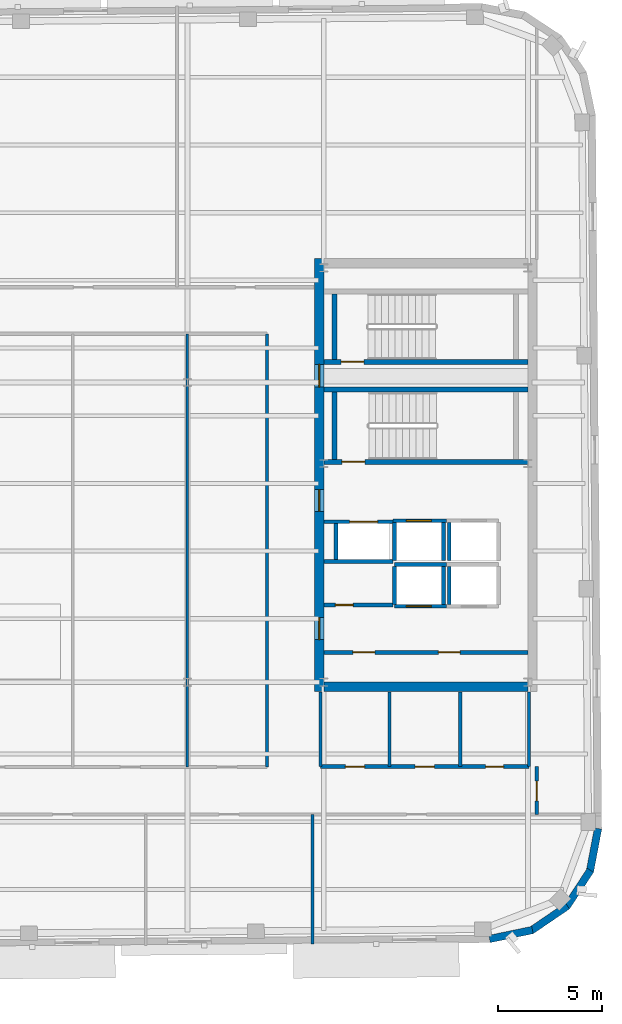
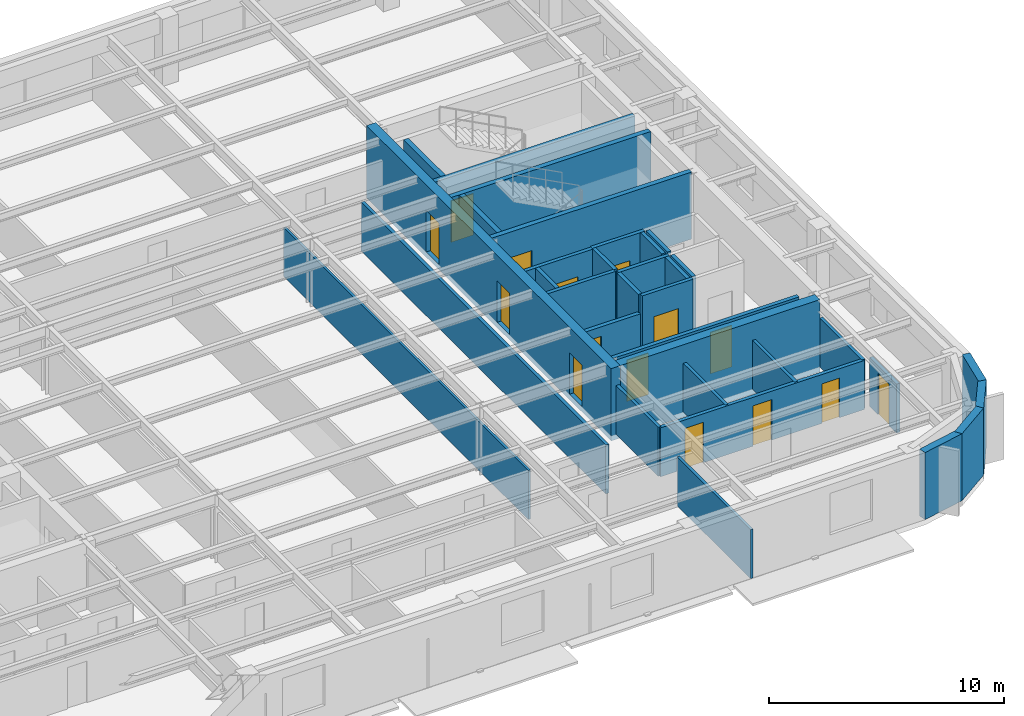
# One storey, part 8 of 15: 34 walls, 15 doors, 15 openings.
"""IFC4 building model written with IfcOpenShell, lengths in metres."""

from ifc_helpers import new_model, si_unit, direction, frame, frame_2d, origin, place, context, subcontext, project, spatial, rectangle, extrude, material, layer, layer_set, type_object, element, fill, save


model = new_model("IFC4")

# Units and contexts
model_context = context("Model", 3, precision=1e-05, world=origin(), true_north=direction((0.0, 1.0)))
body_context = subcontext(model_context, "Body", "Model", "MODEL_VIEW")
ifc_project = project(units=[si_unit("LENGTHUNIT", "METRE"), si_unit("AREAUNIT", "SQUARE_METRE"), si_unit("VOLUMEUNIT", "CUBIC_METRE"), si_unit("PLANEANGLEUNIT", "RADIAN"), si_unit("MASSUNIT", "GRAM", prefix="KILO")], contexts=[model_context])

# Site, building, storey
site_placement = place(None, origin())
site = spatial("IfcSite", under=ifc_project, at=site_placement, CompositionType="ELEMENT")
building_placement = place(site_placement, origin())
building = spatial("IfcBuilding", under=site, at=building_placement, Name="Kolvaren Arena Tower", CompositionType="ELEMENT")
storey_placement = place(building_placement, frame((0.0, 0.0, 293.64990234375)))
storey = spatial("IfcBuildingStorey", under=building, at=storey_placement, Name="L72", CompositionType="ELEMENT", Elevation=293.64990234375)

# Wall
ifc_material_1 = material(Name="Gypsum board acoustic assembly", Category="gypsum")
ifc_layer_1 = layer(ifc_material_1, 0.159912109375)
ifc_layer_set_1 = layer_set([ifc_layer_1], Name="Gypsum board acoustic assembly")
wall_type_1 = type_object("IfcWallType", Name="CORR-160", PredefinedType="PARTITIONING", material=ifc_layer_set_1)
wall_1_placement = place(storey_placement, frame((47.820068359375, 15.3798828125, 0.0), z_axis=(0.0, 0.0, 1.0), x_axis=(0.0, 1.0, 0.0)))
element("IfcWall", 1, at=wall_1_placement, inside=storey, type_object=wall_type_1, Name="Interior Partition Wall (L72)", PredefinedType="PARTITIONING", context=body_context, shape_type="SweptSolid", body=[
    extrude(rectangle(XDim=20.800048828125, YDim=0.159912109375, at=frame_2d((10.39990234375, 0.0))), origin(), (0.0, 0.0, 1.0), 2.5400390625),
])

# Wall, opening, door
wall_2_placement = place(storey_placement, frame((60.780029296875, 13.10009765625, 0.0), z_axis=(0.0, 0.0, 1.0), x_axis=(0.0, 1.0, 0.0)))
wall_2 = element("IfcWall", 2, at=wall_2_placement, inside=storey, type_object=wall_type_1, Name="Interior Partition Wall (L72)", PredefinedType="PARTITIONING", context=body_context, shape_type="SweptSolid", body=[
    extrude(rectangle(XDim=2.2998046875, YDim=0.159912109375, at=frame_2d((1.14990234375, 0.0))), origin(), (0.0, 0.0, 1.0), 2.5400390625),
])
opening_1_placement = place(wall_2_placement, frame((0.64990234375, 0.0, 0.0)))
opening_1 = element("IfcOpeningElement", 3, at=opening_1_placement, cuts=wall_2, Name="Opening D05", PredefinedType="OPENING", context=body_context, shape_type="SweptSolid", body=[
    extrude(rectangle(XDim=0.949951171875, YDim=2.14990234375, at=frame_2d((0.47509765625, 1.074951171875))), frame((0.0, 0.08984375, 0.0), z_axis=(0.0, -1.0, 0.0), x_axis=(1.0, 0.0, 0.0)), (0.0, 0.0, 1.0), 0.179931640625),
])
ifc_material_2 = material(Name="Solid-core oak acoustic office door", Category="wood")
door_type_1 = type_object("IfcDoorType", Name="DOOR-OF-095", OperationType="NOTDEFINED", PredefinedType="DOOR", material=ifc_material_2)
door_1_placement = place(opening_1_placement, origin())
door_1 = element("IfcDoor", 4, at=door_1_placement, inside=storey, type_object=door_type_1, Name="East Wing Studio Door (L72)", OperationType="SINGLE_SWING_RIGHT", OverallHeight=2.14990234375, OverallWidth=0.949951171875, PredefinedType="DOOR", context=body_context, shape_type="SweptSolid", body=[
    extrude(rectangle(XDim=0.949951171875, YDim=2.14990234375, at=frame_2d((0.47509765625, 1.074951171875))), frame((0.0, 0.02490234375, 0.0), z_axis=(0.0, -1.0, 0.0), x_axis=(1.0, 0.0, 0.0)), (0.0, 0.0, 1.0), 0.050048828125),
])
fill(opening_1, door_1)

# Wall, openings, doors
ifc_material_3 = material(Name="Concrete 55 MPa", Category="concrete")
ifc_layer_2 = layer(ifc_material_3, 0.449951171875)
ifc_layer_set_2 = layer_set([ifc_layer_2], Name="Concrete 55 MPa")
wall_type_2 = type_object("IfcWallType", Name="CWALL-450", PredefinedType="SHEAR", material=ifc_layer_set_2)
wall_3_placement = place(storey_placement, frame((50.324951171875, 19.0, -0.27001953125), z_axis=(0.0, 0.0, 1.0), x_axis=(0.0, 1.0, 0.0)))
wall_3 = element("IfcWall", 5, at=wall_3_placement, inside=storey, type_object=wall_type_2, Name="Core Shear Wall EC-WEST (L72)", PredefinedType="SHEAR", context=body_context, shape_type="SweptSolid", body=[
    extrude(rectangle(XDim=20.800048828125, YDim=0.449951171875, at=frame_2d((10.39990234375, 0.0))), origin(), (0.0, 0.0, 1.0), 3.75),
])
opening_2_placement = place(wall_3_placement, frame((2.5, 0.0, 0.27001953125)))
opening_2 = element("IfcOpeningElement", 6, at=opening_2_placement, cuts=wall_3, Name="Opening D04", PredefinedType="OPENING", context=body_context, shape_type="SweptSolid", body=[
    extrude(rectangle(XDim=1.050048828125, YDim=2.14990234375, at=frame_2d((0.52490234375, 1.074951171875))), frame((0.0, 0.23486328125, 0.0), z_axis=(0.0, -1.0, 0.0), x_axis=(1.0, 0.0, 0.0)), (0.0, 0.0, 1.0), 0.469970703125),
])
opening_3_placement = place(wall_3_placement, frame((8.64990234375, 0.0, 0.27001953125)))
opening_3 = element("IfcOpeningElement", 7, at=opening_3_placement, cuts=wall_3, Name="Opening D04", PredefinedType="OPENING", context=body_context, shape_type="SweptSolid", body=[
    extrude(rectangle(XDim=1.050048828125, YDim=2.14990234375, at=frame_2d((0.52490234375, 1.074951171875))), frame((0.0, 0.23486328125, 0.0), z_axis=(0.0, -1.0, 0.0), x_axis=(1.0, 0.0, 0.0)), (0.0, 0.0, 1.0), 0.469970703125),
])
opening_4_placement = place(wall_3_placement, frame((14.6201171875, 0.0, 0.27001953125)))
opening_4 = element("IfcOpeningElement", 8, at=opening_4_placement, cuts=wall_3, Name="Opening D03", PredefinedType="OPENING", context=body_context, shape_type="SweptSolid", body=[
    extrude(rectangle(XDim=1.10009765625, YDim=2.14990234375, at=frame_2d((0.550048828125, 1.074951171875))), frame((0.0, 0.23486328125, 0.0), z_axis=(0.0, -1.0, 0.0), x_axis=(1.0, 0.0, 0.0)), (0.0, 0.0, 1.0), 0.469970703125),
])
ifc_material_4 = material(Name="Fire-rated steel lobby door", Category="steel")
door_type_2 = type_object("IfcDoorType", Name="DOOR-FF-105", OperationType="NOTDEFINED", PredefinedType="DOOR", material=ifc_material_4)
door_2_placement = place(opening_2_placement, origin())
door_2 = element("IfcDoor", 9, at=door_2_placement, inside=storey, type_object=door_type_2, Name="East Lift Lobby Fire Door (L72)", OperationType="SINGLE_SWING_RIGHT", OverallHeight=2.14990234375, OverallWidth=1.050048828125, PredefinedType="DOOR", context=body_context, shape_type="SweptSolid", body=[
    extrude(rectangle(XDim=1.050048828125, YDim=2.14990234375, at=frame_2d((0.52490234375, 1.074951171875))), frame((0.0, 0.02490234375, 0.0), z_axis=(0.0, -1.0, 0.0), x_axis=(1.0, 0.0, 0.0)), (0.0, 0.0, 1.0), 0.050048828125),
])
fill(opening_2, door_2)
door_3_placement = place(opening_3_placement, origin())
door_3 = element("IfcDoor", 10, at=door_3_placement, inside=storey, type_object=door_type_2, Name="East Firefighter Vestibule Door (L72)", OperationType="SINGLE_SWING_LEFT", OverallHeight=2.14990234375, OverallWidth=1.050048828125, PredefinedType="DOOR", context=body_context, shape_type="SweptSolid", body=[
    extrude(rectangle(XDim=1.050048828125, YDim=2.14990234375, at=frame_2d((0.52490234375, 1.074951171875))), frame((0.0, 0.02490234375, 0.0), z_axis=(0.0, -1.0, 0.0), x_axis=(1.0, 0.0, 0.0)), (0.0, 0.0, 1.0), 0.050048828125),
])
fill(opening_3, door_3)
ifc_material_5 = material(Name="Fire-rated steel exit stair door", Category="steel")
door_type_3 = type_object("IfcDoorType", Name="DOOR-ST-110", OperationType="NOTDEFINED", PredefinedType="DOOR", material=ifc_material_5)
door_4_placement = place(opening_4_placement, origin())
door_4 = element("IfcDoor", 11, at=door_4_placement, inside=storey, type_object=door_type_3, Name="Stair ST-E2 Vestibule Fire Door (L72)", OperationType="SINGLE_SWING_LEFT", OverallHeight=2.14990234375, OverallWidth=1.10009765625, PredefinedType="DOOR", context=body_context, shape_type="SweptSolid", body=[
    extrude(rectangle(XDim=1.10009765625, YDim=2.14990234375, at=frame_2d((0.550048828125, 1.074951171875))), frame((0.0, 0.02490234375, 0.0), z_axis=(0.0, -1.0, 0.0), x_axis=(1.0, 0.0, 0.0)), (0.0, 0.0, 1.0), 0.050048828125),
])
fill(opening_4, door_4)

# Walls
wall_4_placement = place(storey_placement, frame((50.550048828125, 19.22509765625, -0.27001953125), z_axis=(0.0, 0.0, 1.0), x_axis=(1.0, 0.0, 0.0)))
element("IfcWall", 12, at=wall_4_placement, inside=storey, type_object=wall_type_2, Name="Core Shear Wall EC-SOUTH (L72)", PredefinedType="SHEAR", context=body_context, shape_type="SweptSolid", body=[
    extrude(rectangle(XDim=9.800048828125, YDim=0.449951171875, at=frame_2d((4.89990234375, 0.0))), origin(), (0.0, 0.0, 1.0), 3.75),
])
ifc_material_6 = material(Name="Precast concrete C50/60", Category="concrete")
ifc_layer_3 = layer(ifc_material_6, 0.360107421875)
ifc_layer_set_3 = layer_set([ifc_layer_3], Name="Precast concrete C50/60")
wall_type_3 = type_object("IfcWallType", Name="EXT-PIER2", PredefinedType="SOLIDWALL", material=ifc_layer_set_3)
wall_5_placement = place(storey_placement, frame((60.572265625, 7.54931640625, 0.0), z_axis=(0.0, 0.0, 1.0), x_axis=(-0.979059388908, -0.203574833883, 0.0)))
element("IfcWall", 13, at=wall_5_placement, inside=storey, type_object=wall_type_3, Name="Exterior Precast Masonry-Frame Wall (L72)", PredefinedType="SOLIDWALL", context=body_context, shape_type="SweptSolid", body=[
    extrude(rectangle(XDim=2.107177734375, YDim=0.360107421875, at=frame_2d((1.0537109375, 0.0))), origin(), (0.0, 0.0, 1.0), 3.47998046875),
])
for number, where, z_axis, x_axis, name in (
    (14, (62.2490234375, 8.707763671875, 0.0), (0.0, 0.0, 1.0), (-0.826572866302, -0.562829722645, 0.0), "Exterior Precast Masonry-Frame Wall (L72)"),
    (15, (63.35498046875, 10.419921875, 0.0), (0.0, 0.0, 1.0), (-0.54818559406, -0.836356714844, 0.0), "Exterior Precast Masonry-Frame Wall (L72)"),
    (16, (63.7216796875, 12.4248046875, 0.0), (0.0, 0.0, 1.0), (-0.186435855703, -0.98246713518, 0.0), "Exterior Precast Masonry-Frame Wall (L72)"),
):
    element("IfcWall", number, at=place(storey_placement, frame(where, z_axis=z_axis, x_axis=x_axis)), inside=storey, type_object=wall_type_3, Name=name, PredefinedType="SOLIDWALL", context=body_context, shape_type="SweptSolid", body=[
        extrude(rectangle(XDim=2.10693359375, YDim=0.360107421875, at=frame_2d((1.053466796875, 0.0))), origin(), (0.0, 0.0, 1.0), 3.47998046875),
    ])

# Wall, openings, doors
ifc_material_7 = material(Name="Concrete 40 MPa", Category="concrete")
ifc_layer_4 = layer(ifc_material_7, 0.199951171875)
ifc_layer_set_4 = layer_set([ifc_layer_4], Name="Concrete 40 MPa")
wall_type_4 = type_object("IfcWallType", Name="LOBBY-200", PredefinedType="SOLIDWALL", material=ifc_layer_set_4)
wall_6_placement = place(storey_placement, frame((50.550048828125, 20.8798828125, 0.0), z_axis=(0.0, 0.0, 1.0), x_axis=(1.0, 0.0, 0.0)))
wall_6 = element("IfcWall", 17, at=wall_6_placement, inside=storey, type_object=wall_type_4, Name="Core Shaft Wall (L72)", PredefinedType="SOLIDWALL", context=body_context, shape_type="SweptSolid", body=[
    extrude(rectangle(XDim=9.800048828125, YDim=0.199951171875, at=frame_2d((4.89990234375, 0.0))), origin(), (0.0, 0.0, 1.0), 2.5400390625),
])
opening_5_placement = place(wall_6_placement, frame((1.39990234375, 0.0, 0.0)))
opening_5 = element("IfcOpeningElement", 18, at=opening_5_placement, cuts=wall_6, Name="Opening D04", PredefinedType="OPENING", context=body_context, shape_type="SweptSolid", body=[
    extrude(rectangle(XDim=1.050048828125, YDim=2.14990234375, at=frame_2d((0.52490234375, 1.074951171875))), frame((0.0, 0.10986328125, 0.0), z_axis=(0.0, -1.0, 0.0), x_axis=(1.0, 0.0, 0.0)), (0.0, 0.0, 1.0), 0.219970703125),
])
opening_6_placement = place(wall_6_placement, frame((5.5, 0.0, 0.0)))
opening_6 = element("IfcOpeningElement", 19, at=opening_6_placement, cuts=wall_6, Name="Opening D04", PredefinedType="OPENING", context=body_context, shape_type="SweptSolid", body=[
    extrude(rectangle(XDim=1.050048828125, YDim=2.14990234375, at=frame_2d((0.52490234375, 1.074951171875))), frame((0.0, 0.10986328125, 0.0), z_axis=(0.0, -1.0, 0.0), x_axis=(1.0, 0.0, 0.0)), (0.0, 0.0, 1.0), 0.219970703125),
])
door_5_placement = place(opening_5_placement, origin())
door_5 = element("IfcDoor", 20, at=door_5_placement, inside=storey, type_object=door_type_2, Name="East Telecom Room Fire Door (L72)", OperationType="SINGLE_SWING_RIGHT", OverallHeight=2.14990234375, OverallWidth=1.050048828125, PredefinedType="DOOR", context=body_context, shape_type="SweptSolid", body=[
    extrude(rectangle(XDim=1.050048828125, YDim=2.14990234375, at=frame_2d((0.52490234375, 1.074951171875))), frame((0.0, 0.02490234375, 0.0), z_axis=(0.0, -1.0, 0.0), x_axis=(1.0, 0.0, 0.0)), (0.0, 0.0, 1.0), 0.050048828125),
])
fill(opening_5, door_5)
door_6_placement = place(opening_6_placement, origin())
door_6 = element("IfcDoor", 21, at=door_6_placement, inside=storey, type_object=door_type_2, Name="East Records Room Fire Door (L72)", OperationType="SINGLE_SWING_LEFT", OverallHeight=2.14990234375, OverallWidth=1.050048828125, PredefinedType="DOOR", context=body_context, shape_type="SweptSolid", body=[
    extrude(rectangle(XDim=1.050048828125, YDim=2.14990234375, at=frame_2d((0.52490234375, 1.074951171875))), frame((0.0, 0.02490234375, 0.0), z_axis=(0.0, -1.0, 0.0), x_axis=(1.0, 0.0, 0.0)), (0.0, 0.0, 1.0), 0.050048828125),
])
fill(opening_6, door_6)

# Wall, opening, door
wall_7_placement = place(storey_placement, frame((50.550048828125, 23.159912109375, 0.0), z_axis=(0.0, 0.0, 1.0), x_axis=(1.0, 0.0, 0.0)))
wall_7 = element("IfcWall", 22, at=wall_7_placement, inside=storey, type_object=wall_type_4, Name="Core Shaft Wall (L72)", PredefinedType="SOLIDWALL", context=body_context, shape_type="SweptSolid", body=[
    extrude(rectangle(XDim=3.329833984375, YDim=0.199951171875, at=frame_2d((1.6650390625, 0.0))), origin(), (0.0, 0.0, 1.0), 2.5400390625),
])
opening_7_placement = place(wall_7_placement, frame((0.550048828125, 0.0, 0.0)))
opening_7 = element("IfcOpeningElement", 23, at=opening_7_placement, cuts=wall_7, Name="Opening D09", PredefinedType="OPENING", context=body_context, shape_type="SweptSolid", body=[
    extrude(rectangle(XDim=0.860107421875, YDim=2.050048828125, at=frame_2d((0.43017578125, 1.02490234375))), frame((0.0, 0.10986328125, 0.0), z_axis=(0.0, -1.0, 0.0), x_axis=(1.0, 0.0, 0.0)), (0.0, 0.0, 1.0), 0.219970703125),
])
ifc_material_8 = material(Name="Fire-rated steel riser access door", Category="steel")
door_type_4 = type_object("IfcDoorType", Name="DOOR-RS-086", OperationType="NOTDEFINED", PredefinedType="DOOR", material=ifc_material_8)
door_7_placement = place(opening_7_placement, origin())
door_7 = element("IfcDoor", 24, at=door_7_placement, inside=storey, type_object=door_type_4, Name="East AV Riser Closet Door (L72)", OperationType="SINGLE_SWING_LEFT", OverallHeight=2.050048828125, OverallWidth=0.860107421875, PredefinedType="DOOR", context=body_context, shape_type="SweptSolid", body=[
    extrude(rectangle(XDim=0.860107421875, YDim=2.050048828125, at=frame_2d((0.43017578125, 1.02490234375))), frame((0.0, 0.02490234375, 0.0), z_axis=(0.0, -1.0, 0.0), x_axis=(1.0, 0.0, 0.0)), (0.0, 0.0, 1.0), 0.050048828125),
])
fill(opening_7, door_7)

# Walls
ifc_material_9 = material(Name="Gypsum board partition assembly", Category="gypsum")
ifc_layer_5 = layer(ifc_material_9, 0.114990234375)
ifc_layer_set_5 = layer_set([ifc_layer_5], Name="Gypsum board partition assembly")
wall_type_5 = type_object("IfcWallType", Name="PART-115", PredefinedType="PARTITIONING", material=ifc_layer_set_5)
wall_8_placement = place(storey_placement, frame((44.0, 15.3798828125, 0.0), z_axis=(0.0, 0.0, 1.0), x_axis=(0.0, 1.0, 0.0)))
element("IfcWall", 25, at=wall_8_placement, inside=storey, type_object=wall_type_5, Name="Interior Partition Wall (L72)", PredefinedType="PARTITIONING", context=body_context, shape_type="SweptSolid", body=[
    extrude(rectangle(XDim=20.800048828125, YDim=0.114990234375, at=frame_2d((10.39990234375, 0.0))), origin(), (0.0, 0.0, 1.0), 2.5400390625),
])
ifc_layer_6 = layer(ifc_material_9, 0.135009765625)
ifc_layer_set_6 = layer_set([ifc_layer_6], Name="Gypsum board partition assembly")
wall_type_6 = type_object("IfcWallType", Name="PART-135", PredefinedType="PARTITIONING", material=ifc_layer_set_6)
wall_9_placement = place(storey_placement, frame((50.0, 6.86962890625, 0.0), z_axis=(0.0, 0.0, 1.0), x_axis=(0.0, 1.0, 0.0)))
element("IfcWall", 26, at=wall_9_placement, inside=storey, type_object=wall_type_6, Name="Interior Partition Wall (L72)", PredefinedType="PARTITIONING", context=body_context, shape_type="SweptSolid", body=[
    extrude(rectangle(XDim=6.23046875, YDim=0.135009765625, at=frame_2d((3.115234375, 0.0))), origin(), (0.0, 0.0, 1.0), 2.5400390625),
])

# Wall, opening, door
ifc_material_10 = material(Name="Concrete 45 MPa", Category="concrete")
ifc_layer_7 = layer(ifc_material_10, 0.25)
ifc_layer_set_7 = layer_set([ifc_layer_7], Name="Concrete 45 MPa")
wall_type_7 = type_object("IfcWallType", Name="SHAFT-250", PredefinedType="SOLIDWALL", material=ifc_layer_set_7)
wall_10_placement = place(storey_placement, frame((60.35009765625, 30.030029296875, 0.0), z_axis=(0.0, 0.0, 1.0), x_axis=(-1.0, 0.0, 0.0)))
wall_10 = element("IfcWall", 27, at=wall_10_placement, inside=storey, type_object=wall_type_7, Name="Core Shaft Wall (L72)", PredefinedType="SOLIDWALL", context=body_context, shape_type="SweptSolid", body=[
    extrude(rectangle(XDim=9.800048828125, YDim=0.239990234375, at=frame_2d((4.89990234375, 0.0))), origin(), (0.0, 0.0, 1.0), 3.47998046875),
])
opening_8_placement = place(wall_10_placement, frame((7.830078125, 0.0, 0.0)))
opening_8 = element("IfcOpeningElement", 28, at=opening_8_placement, cuts=wall_10, Name="Opening D03", PredefinedType="OPENING", context=body_context, shape_type="SweptSolid", body=[
    extrude(rectangle(XDim=1.10009765625, YDim=2.14990234375, at=frame_2d((0.550048828125, 1.074951171875))), frame((0.0, 0.1298828125, 0.0), z_axis=(0.0, -1.0, 0.0), x_axis=(1.0, 0.0, 0.0)), (0.0, 0.0, 1.0), 0.260009765625),
])
door_8_placement = place(opening_8_placement, origin())
door_8 = element("IfcDoor", 29, at=door_8_placement, inside=storey, type_object=door_type_3, Name="Stair ST-E1 Fire Door (L72)", OperationType="SINGLE_SWING_LEFT", OverallHeight=2.14990234375, OverallWidth=1.10009765625, PredefinedType="DOOR", context=body_context, shape_type="SweptSolid", body=[
    extrude(rectangle(XDim=1.10009765625, YDim=2.14990234375, at=frame_2d((0.550048828125, 1.074951171875))), frame((0.0, 0.02490234375, 0.0), z_axis=(0.0, -1.0, 0.0), x_axis=(1.0, 0.0, 0.0)), (0.0, 0.0, 1.0), 0.050048828125),
])
fill(opening_8, door_8)

# Walls
wall_11_placement = place(storey_placement, frame((50.550048828125, 33.5, 0.0), z_axis=(0.0, 0.0, 1.0), x_axis=(1.0, 0.0, 0.0)))
element("IfcWall", 30, at=wall_11_placement, inside=storey, type_object=wall_type_7, Name="Core Shaft Wall (L72)", PredefinedType="SOLIDWALL", context=body_context, shape_type="SweptSolid", body=[
    extrude(rectangle(XDim=9.800048828125, YDim=0.239990234375, at=frame_2d((4.89990234375, 0.0))), origin(), (0.0, 0.0, 1.0), 3.47998046875),
])
wall_12_placement = place(storey_placement, frame((51.06005859375, 30.14990234375, 0.0), z_axis=(0.0, 0.0, 1.0), x_axis=(0.0, 1.0, 0.0)))
element("IfcWall", 31, at=wall_12_placement, inside=storey, type_object=wall_type_7, Name="Core Shaft Wall (L72)", PredefinedType="SOLIDWALL", context=body_context, shape_type="SweptSolid", body=[
    extrude(rectangle(XDim=3.22998046875, YDim=0.239990234375, at=frame_2d((1.614990234375, 0.0))), origin(), (0.0, 0.0, 1.0), 3.47998046875),
])

# Wall, opening, door
wall_13_placement = place(storey_placement, frame((60.35009765625, 34.830078125, 0.0), z_axis=(0.0, 0.0, 1.0), x_axis=(-1.0, 0.0, 0.0)))
wall_13 = element("IfcWall", 32, at=wall_13_placement, inside=storey, type_object=wall_type_7, Name="Core Shaft Wall (L72)", PredefinedType="SOLIDWALL", context=body_context, shape_type="SweptSolid", body=[
    extrude(rectangle(XDim=9.800048828125, YDim=0.239990234375, at=frame_2d((4.89990234375, 0.0))), origin(), (0.0, 0.0, 1.0), 3.47998046875),
])
opening_9_placement = place(wall_13_placement, frame((7.8701171875, 0.0, 0.0)))
opening_9 = element("IfcOpeningElement", 33, at=opening_9_placement, cuts=wall_13, Name="Opening D03", PredefinedType="OPENING", context=body_context, shape_type="SweptSolid", body=[
    extrude(rectangle(XDim=1.10009765625, YDim=2.14990234375, at=frame_2d((0.550048828125, 1.074951171875))), frame((0.0, 0.1298828125, 0.0), z_axis=(0.0, -1.0, 0.0), x_axis=(1.0, 0.0, 0.0)), (0.0, 0.0, 1.0), 0.260009765625),
])
door_9_placement = place(opening_9_placement, origin())
door_9 = element("IfcDoor", 34, at=door_9_placement, inside=storey, type_object=door_type_3, Name="Stair ST-E2 Fire Door (L72)", OperationType="SINGLE_SWING_LEFT", OverallHeight=2.14990234375, OverallWidth=1.10009765625, PredefinedType="DOOR", context=body_context, shape_type="SweptSolid", body=[
    extrude(rectangle(XDim=1.10009765625, YDim=2.14990234375, at=frame_2d((0.550048828125, 1.074951171875))), frame((0.0, 0.02490234375, 0.0), z_axis=(0.0, -1.0, 0.0), x_axis=(1.0, 0.0, 0.0)), (0.0, 0.0, 1.0), 0.050048828125),
])
fill(opening_9, door_9)

# Walls
wall_14_placement = place(storey_placement, frame((51.06005859375, 34.949951171875, 0.0), z_axis=(0.0, 0.0, 1.0), x_axis=(0.0, 1.0, 0.0)))
element("IfcWall", 35, at=wall_14_placement, inside=storey, type_object=wall_type_7, Name="Core Shaft Wall (L72)", PredefinedType="SOLIDWALL", context=body_context, shape_type="SweptSolid", body=[
    extrude(rectangle(XDim=3.150146484375, YDim=0.239990234375, at=frame_2d((1.5751953125, 0.0))), origin(), (0.0, 0.0, 1.0), 3.47998046875),
])
wall_15_placement = place(storey_placement, frame((53.93994140625, 25.10498046875, 0.0), z_axis=(0.0, 0.0, 1.0), x_axis=(1.0, 0.0, 0.0)))
element("IfcWall", 36, at=wall_15_placement, inside=storey, type_object=wall_type_7, Name="Core Shaft Wall (L72)", PredefinedType="SOLIDWALL", context=body_context, shape_type="SweptSolid", body=[
    extrude(rectangle(XDim=2.5, YDim=0.179931640625, at=frame_2d((1.25, 0.0))), origin(), (0.0, 0.0, 1.0), 3.47998046875),
])

# Wall, opening, door
wall_16_placement = place(storey_placement, frame((53.93994140625, 23.094970703125, 0.0), z_axis=(0.0, 0.0, 1.0), x_axis=(1.0, 0.0, 0.0)))
wall_16 = element("IfcWall", 37, at=wall_16_placement, inside=storey, type_object=wall_type_7, Name="Core Shaft Wall (L72)", PredefinedType="SOLIDWALL", context=body_context, shape_type="SweptSolid", body=[
    extrude(rectangle(XDim=2.5, YDim=0.179931640625, at=frame_2d((1.25, 0.0))), origin(), (0.0, 0.0, 1.0), 3.47998046875),
])
opening_10_placement = place(wall_16_placement, frame((0.580078125, 0.0, 0.0)))
opening_10 = element("IfcOpeningElement", 38, at=opening_10_placement, cuts=wall_16, Name="Opening LD1", PredefinedType="OPENING", context=body_context, shape_type="SweptSolid", body=[
    extrude(rectangle(XDim=1.199951171875, YDim=2.199951171875, at=frame_2d((0.60009765625, 1.10009765625))), frame((0.0, 0.099853515625, 0.0), z_axis=(0.0, -1.0, 0.0), x_axis=(1.0, 0.0, 0.0)), (0.0, 0.0, 1.0), 0.199951171875),
])
ifc_material_11 = material(Name="Stainless steel passenger lift landing door", Category="steel")
door_type_5 = type_object("IfcDoorType", Name="DOOR-LD-120", OperationType="DOUBLE_DOOR_SLIDING", PredefinedType="DOOR", material=ifc_material_11)
door_10_placement = place(opening_10_placement, origin())
door_10 = element("IfcDoor", 39, at=door_10_placement, inside=storey, type_object=door_type_5, Name="Lift EL-HR1 Landing Door (L72)", OperationType="DOUBLE_DOOR_SLIDING", OverallHeight=2.199951171875, OverallWidth=1.199951171875, PredefinedType="DOOR", context=body_context, shape_type="SweptSolid", body=[
    extrude(rectangle(XDim=1.199951171875, YDim=2.199951171875, at=frame_2d((0.60009765625, 1.10009765625))), frame((0.0, 0.02490234375, 0.0), z_axis=(0.0, -1.0, 0.0), x_axis=(1.0, 0.0, 0.0)), (0.0, 0.0, 1.0), 0.050048828125),
])
fill(opening_10, door_10)

# Walls
for number, where, z_axis, x_axis, name in (
    (40, (53.93994140625, 23.18505859375, 0.0), (0.0, 0.0, 1.0), (0.0, 1.0, 0.0), "Core Shaft Wall (L72)"),
    (41, (56.300048828125, 23.18505859375, 0.0), (0.0, 0.0, 1.0), (0.0, 1.0, 0.0), "Core Shaft Wall (L72)"),
    (42, (56.580078125, 23.18505859375, 0.0), (0.0, 0.0, 1.0), (0.0, 1.0, 0.0), "Core Shaft Wall (L72)"),
):
    element("IfcWall", number, at=place(storey_placement, frame(where, z_axis=z_axis, x_axis=x_axis)), inside=storey, type_object=wall_type_7, Name=name, PredefinedType="SOLIDWALL", context=body_context, shape_type="SweptSolid", body=[
        extrude(rectangle(XDim=1.829833984375, YDim=0.179931640625, at=frame_2d((0.9150390625, 0.0))), origin(), (0.0, 0.0, 1.0), 3.47998046875),
    ])

# Wall, opening, door
wall_17_placement = place(storey_placement, frame((53.864990234375, 27.205078125, 0.0), z_axis=(0.0, 0.0, 1.0), x_axis=(1.0, 0.0, 0.0)))
wall_17 = element("IfcWall", 43, at=wall_17_placement, inside=storey, type_object=wall_type_7, Name="Core Shaft Wall (L72)", PredefinedType="SOLIDWALL", context=body_context, shape_type="SweptSolid", body=[
    extrude(rectangle(XDim=2.574951171875, YDim=0.179931640625, at=frame_2d((1.28759765625, 0.0))), origin(), (0.0, 0.0, 1.0), 3.47998046875),
])
opening_11_placement = place(wall_17_placement, frame((0.655029296875, 0.0, 0.0)))
opening_11 = element("IfcOpeningElement", 44, at=opening_11_placement, cuts=wall_17, Name="Opening LD1", PredefinedType="OPENING", context=body_context, shape_type="SweptSolid", body=[
    extrude(rectangle(XDim=1.199951171875, YDim=2.199951171875, at=frame_2d((0.60009765625, 1.10009765625))), frame((0.0, 0.099853515625, 0.0), z_axis=(0.0, -1.0, 0.0), x_axis=(1.0, 0.0, 0.0)), (0.0, 0.0, 1.0), 0.199951171875),
])
door_11_placement = place(opening_11_placement, origin())
door_11 = element("IfcDoor", 45, at=door_11_placement, inside=storey, type_object=door_type_5, Name="Lift EL-HR3 Landing Door (L72)", OperationType="DOUBLE_DOOR_SLIDING", OverallHeight=2.199951171875, OverallWidth=1.199951171875, PredefinedType="DOOR", context=body_context, shape_type="SweptSolid", body=[
    extrude(rectangle(XDim=1.199951171875, YDim=2.199951171875, at=frame_2d((0.60009765625, 1.10009765625))), frame((0.0, 0.02490234375, 0.0), z_axis=(0.0, -1.0, 0.0), x_axis=(1.0, 0.0, 0.0)), (0.0, 0.0, 1.0), 0.050048828125),
])
fill(opening_11, door_11)

# Walls
for number, where, z_axis, x_axis, name in (
    (46, (53.93994140625, 25.284912109375, 0.0), (0.0, 0.0, 1.0), (0.0, 1.0, 0.0), "Core Shaft Wall (L72)"),
    (47, (56.300048828125, 25.284912109375, 0.0), (0.0, 0.0, 1.0), (0.0, 1.0, 0.0), "Core Shaft Wall (L72)"),
    (48, (56.580078125, 25.284912109375, 0.0), (0.0, 0.0, 1.0), (0.0, 1.0, 0.0), "Core Shaft Wall (L72)"),
):
    element("IfcWall", number, at=place(storey_placement, frame(where, z_axis=z_axis, x_axis=x_axis)), inside=storey, type_object=wall_type_7, Name=name, PredefinedType="SOLIDWALL", context=body_context, shape_type="SweptSolid", body=[
        extrude(rectangle(XDim=1.830078125, YDim=0.179931640625, at=frame_2d((0.9150390625, 0.0))), origin(), (0.0, 0.0, 1.0), 3.47998046875),
    ])

# Wall, opening, door
wall_18_placement = place(storey_placement, frame((50.550048828125, 27.155029296875, 0.0), z_axis=(0.0, 0.0, 1.0), x_axis=(1.0, 0.0, 0.0)))
wall_18 = element("IfcWall", 49, at=wall_18_placement, inside=storey, type_object=wall_type_7, Name="Core Shaft Wall (L72)", PredefinedType="SOLIDWALL", context=body_context, shape_type="SweptSolid", body=[
    extrude(rectangle(XDim=3.31494140625, YDim=0.179931640625, at=frame_2d((1.657470703125, 0.0))), origin(), (0.0, 0.0, 1.0), 3.47998046875),
])
opening_12_placement = place(wall_18_placement, frame((1.235107421875, 0.0, 0.0)))
opening_12 = element("IfcOpeningElement", 50, at=opening_12_placement, cuts=wall_18, Name="Opening LD2", PredefinedType="OPENING", context=body_context, shape_type="SweptSolid", body=[
    extrude(rectangle(XDim=1.35009765625, YDim=2.300048828125, at=frame_2d((0.675048828125, 1.14990234375))), frame((0.0, 0.099853515625, 0.0), z_axis=(0.0, -1.0, 0.0), x_axis=(1.0, 0.0, 0.0)), (0.0, 0.0, 1.0), 0.199951171875),
])
ifc_material_12 = material(Name="Stainless steel firefighter lift landing door", Category="steel")
door_type_6 = type_object("IfcDoorType", Name="DOOR-LD-135", OperationType="DOUBLE_DOOR_SLIDING", PredefinedType="DOOR", material=ifc_material_12)
door_12_placement = place(opening_12_placement, origin())
door_12 = element("IfcDoor", 51, at=door_12_placement, inside=storey, type_object=door_type_6, Name="Firefighter Lift FF-E1 Landing Door (L72)", OperationType="DOUBLE_DOOR_SLIDING", OverallHeight=2.300048828125, OverallWidth=1.35009765625, PredefinedType="DOOR", context=body_context, shape_type="SweptSolid", body=[
    extrude(rectangle(XDim=1.35009765625, YDim=2.300048828125, at=frame_2d((0.675048828125, 1.14990234375))), frame((0.0, 0.02490234375, 0.0), z_axis=(0.0, -1.0, 0.0), x_axis=(1.0, 0.0, 0.0)), (0.0, 0.0, 1.0), 0.050048828125),
])
fill(opening_12, door_12)

# Walls
wall_19_placement = place(storey_placement, frame((50.550048828125, 25.2451171875, 0.0), z_axis=(0.0, 0.0, 1.0), x_axis=(1.0, 0.0, 0.0)))
element("IfcWall", 52, at=wall_19_placement, inside=storey, type_object=wall_type_7, Name="Core Shaft Wall (L72)", PredefinedType="SOLIDWALL", context=body_context, shape_type="SweptSolid", body=[
    extrude(rectangle(XDim=3.31494140625, YDim=0.179931640625, at=frame_2d((1.657470703125, 0.0))), origin(), (0.0, 0.0, 1.0), 3.47998046875),
])
wall_20_placement = place(storey_placement, frame((51.1298828125, 25.3349609375, 0.0), z_axis=(0.0, 0.0, 1.0), x_axis=(0.0, 1.0, 0.0)))
element("IfcWall", 53, at=wall_20_placement, inside=storey, type_object=wall_type_7, Name="Core Shaft Wall (L72)", PredefinedType="SOLIDWALL", context=body_context, shape_type="SweptSolid", body=[
    extrude(rectangle(XDim=1.72998046875, YDim=0.179931640625, at=frame_2d((0.864990234375, 0.0))), origin(), (0.0, 0.0, 1.0), 3.47998046875),
])

# Wall, openings, doors
wall_21_placement = place(storey_placement, frame((50.39990234375, 15.39990234375, 0.0), z_axis=(0.0, 0.0, 1.0), x_axis=(1.0, 0.0, 0.0)))
wall_21 = element("IfcWall", 54, at=wall_21_placement, inside=storey, type_object=wall_type_7, Name="Interior Partition Wall (L72)", PredefinedType="SOLIDWALL", context=body_context, shape_type="SweptSolid", body=[
    extrude(rectangle(XDim=10.0, YDim=0.179931640625, at=frame_2d((5.0, 0.0))), origin(), (0.0, 0.0, 1.0), 2.5400390625),
])
opening_13_placement = place(wall_21_placement, frame((1.18994140625, 0.0, 0.0)))
opening_13 = element("IfcOpeningElement", 55, at=opening_13_placement, cuts=wall_21, Name="Opening D07", PredefinedType="OPENING", context=body_context, shape_type="SweptSolid", body=[
    extrude(rectangle(XDim=0.919921875, YDim=2.10009765625, at=frame_2d((0.4599609375, 1.050048828125))), frame((0.0, 0.099853515625, 0.0), z_axis=(0.0, -1.0, 0.0), x_axis=(1.0, 0.0, 0.0)), (0.0, 0.0, 1.0), 0.199951171875),
])
opening_14_placement = place(wall_21_placement, frame((4.5400390625, 0.0, 0.0)))
opening_14 = element("IfcOpeningElement", 56, at=opening_14_placement, cuts=wall_21, Name="Opening D07", PredefinedType="OPENING", context=body_context, shape_type="SweptSolid", body=[
    extrude(rectangle(XDim=0.919921875, YDim=2.10009765625, at=frame_2d((0.4599609375, 1.050048828125))), frame((0.0, 0.099853515625, 0.0), z_axis=(0.0, -1.0, 0.0), x_axis=(1.0, 0.0, 0.0)), (0.0, 0.0, 1.0), 0.199951171875),
])
opening_15_placement = place(wall_21_placement, frame((7.919921875, 0.0, 0.0)))
opening_15 = element("IfcOpeningElement", 57, at=opening_15_placement, cuts=wall_21, Name="Opening D09", PredefinedType="OPENING", context=body_context, shape_type="SweptSolid", body=[
    extrude(rectangle(XDim=0.860107421875, YDim=2.050048828125, at=frame_2d((0.43017578125, 1.02490234375))), frame((0.0, 0.099853515625, 0.0), z_axis=(0.0, -1.0, 0.0), x_axis=(1.0, 0.0, 0.0)), (0.0, 0.0, 1.0), 0.199951171875),
])
door_13_placement = place(opening_15_placement, origin())
door_13 = element("IfcDoor", 58, at=door_13_placement, inside=storey, type_object=door_type_4, Name="Mechanical Riser Closet Door (L72)", OperationType="SINGLE_SWING_RIGHT", OverallHeight=2.050048828125, OverallWidth=0.860107421875, PredefinedType="DOOR", context=body_context, shape_type="SweptSolid", body=[
    extrude(rectangle(XDim=0.860107421875, YDim=2.050048828125, at=frame_2d((0.43017578125, 1.02490234375))), frame((0.0, 0.02490234375, 0.0), z_axis=(0.0, -1.0, 0.0), x_axis=(1.0, 0.0, 0.0)), (0.0, 0.0, 1.0), 0.050048828125),
])
fill(opening_15, door_13)
ifc_material_13 = material(Name="Laminate universal washroom door", Category="wood")
door_type_7 = type_object("IfcDoorType", Name="DOOR-WC-092", OperationType="NOTDEFINED", PredefinedType="DOOR", material=ifc_material_13)
door_14_placement = place(opening_13_placement, origin())
door_14 = element("IfcDoor", 59, at=door_14_placement, inside=storey, type_object=door_type_7, Name="Staff Pantry Door (L72)", OperationType="SINGLE_SWING_RIGHT", OverallHeight=2.10009765625, OverallWidth=0.919921875, PredefinedType="DOOR", context=body_context, shape_type="SweptSolid", body=[
    extrude(rectangle(XDim=0.919921875, YDim=2.10009765625, at=frame_2d((0.4599609375, 1.050048828125))), frame((0.0, 0.02490234375, 0.0), z_axis=(0.0, -1.0, 0.0), x_axis=(1.0, 0.0, 0.0)), (0.0, 0.0, 1.0), 0.050048828125),
])
fill(opening_13, door_14)
door_15_placement = place(opening_14_placement, origin())
door_15 = element("IfcDoor", 60, at=door_15_placement, inside=storey, type_object=door_type_7, Name="Gender-Neutral Washroom Door (L72)", OperationType="SINGLE_SWING_LEFT", OverallHeight=2.10009765625, OverallWidth=0.919921875, PredefinedType="DOOR", context=body_context, shape_type="SweptSolid", body=[
    extrude(rectangle(XDim=0.919921875, YDim=2.10009765625, at=frame_2d((0.4599609375, 1.050048828125))), frame((0.0, 0.02490234375, 0.0), z_axis=(0.0, -1.0, 0.0), x_axis=(1.0, 0.0, 0.0)), (0.0, 0.0, 1.0), 0.050048828125),
])
fill(opening_14, door_15)

# Walls
ifc_material_14 = material(Name="Moisture-resistant gypsum assembly", Category="gypsum")
ifc_layer_8 = layer(ifc_material_14, 0.14990234375)
ifc_layer_set_8 = layer_set([ifc_layer_8], Name="Moisture-resistant gypsum assembly")
wall_type_8 = type_object("IfcWallType", Name="WETW-150", PredefinedType="PARTITIONING", material=ifc_layer_set_8)
for number, where, z_axis, x_axis, name in (
    (61, (53.699951171875, 15.39990234375, 0.0), (0.0, 0.0, 1.0), (0.0, 1.0, 0.0), "Interior Partition Wall (L72)"),
    (62, (57.10009765625, 15.39990234375, 0.0), (0.0, 0.0, 1.0), (0.0, 1.0, 0.0), "Interior Partition Wall (L72)"),
    (63, (50.39990234375, 15.39990234375, 0.0), (0.0, 0.0, 1.0), (0.0, 1.0, 0.0), "Interior Partition Wall (L72)"),
    (64, (60.39990234375, 15.39990234375, 0.0), (0.0, 0.0, 1.0), (0.0, 1.0, 0.0), "Interior Partition Wall (L72)"),
):
    element("IfcWall", number, at=place(storey_placement, frame(where, z_axis=z_axis, x_axis=x_axis)), inside=storey, type_object=wall_type_8, Name=name, PredefinedType="PARTITIONING", context=body_context, shape_type="SweptSolid", body=[
        extrude(rectangle(XDim=3.580078125, YDim=0.14990234375, at=frame_2d((1.7900390625, 0.0))), origin(), (0.0, 0.0, 1.0), 2.5400390625),
    ])

save(model, "model.ifc")
